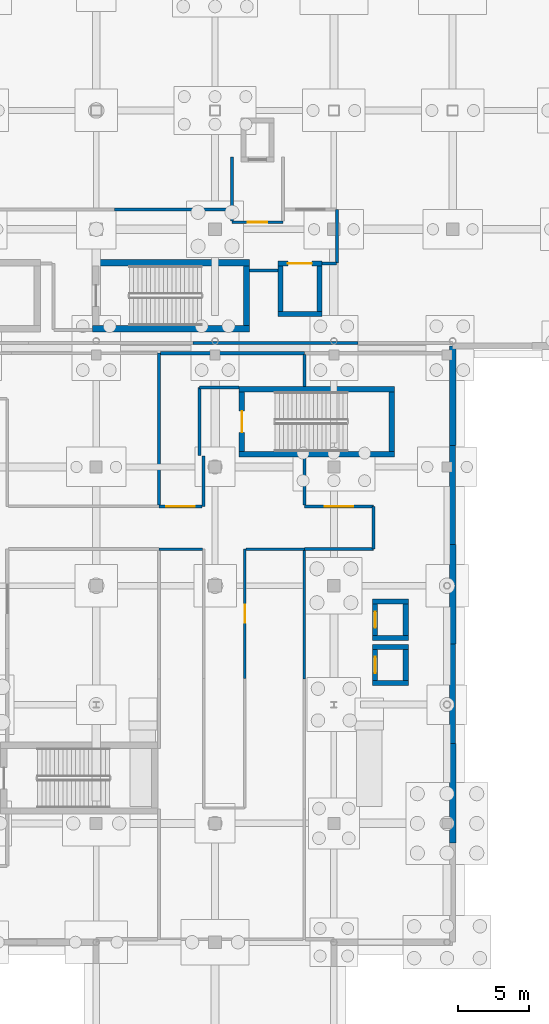
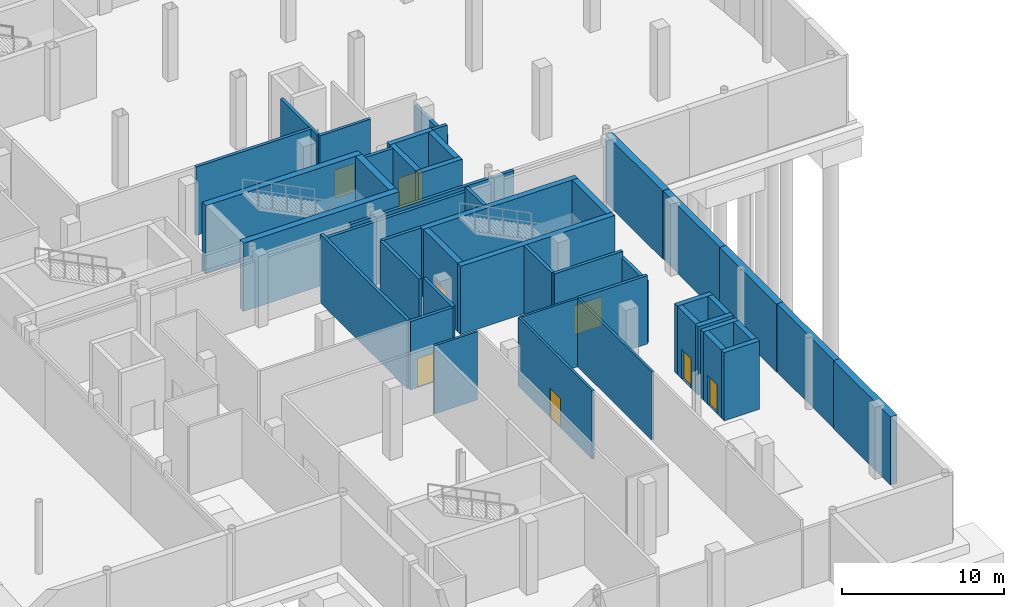
# One storey, part 34 of 49: 46 walls, 8 doors, 8 openings.
"""IFC4 building model written with IfcOpenShell, lengths in metres."""

from ifc_helpers import new_model, si_unit, direction, frame, frame_2d, origin, place, context, subcontext, project, spatial, rectangle, extrude, material, layer, layer_set, type_object, element, fill, save


model = new_model("IFC4")

# Units and contexts
model_context = context("Model", 3, precision=1e-05, world=origin(), true_north=direction((0.0, 1.0)))
body_context = subcontext(model_context, "Body", "Model", "MODEL_VIEW")
ifc_project = project(units=[si_unit("LENGTHUNIT", "METRE"), si_unit("AREAUNIT", "SQUARE_METRE"), si_unit("VOLUMEUNIT", "CUBIC_METRE"), si_unit("PLANEANGLEUNIT", "RADIAN"), si_unit("MASSUNIT", "GRAM", prefix="KILO"), si_unit("THERMODYNAMICTEMPERATUREUNIT", "KELVIN")], contexts=[model_context])

# Site, building, storey
site_placement = place(None, origin())
site = spatial("IfcSite", under=ifc_project, at=site_placement, CompositionType="ELEMENT")
building_placement = place(site_placement, origin())
building = spatial("IfcBuilding", under=site, at=building_placement, Name="Lustrewick Department Store", CompositionType="ELEMENT")
storey_placement = place(building_placement, frame((0.0, 0.0, -5.39990234375)))
storey = spatial("IfcBuildingStorey", under=building, at=storey_placement, Name="B1", CompositionType="ELEMENT", Elevation=-5.39990234375)

# Wall
ifc_material_1 = material(Name="Autoclaved aerated concrete blockwork and fire board", Category="masonry")
ifc_layer_1 = layer(ifc_material_1, 0.219970703125, Name="Autoclaved aerated concrete blockwork and fire board")
ifc_layer_set_1 = layer_set([ifc_layer_1], Name="Autoclaved aerated concrete blockwork and fire board")
wall_type_1 = type_object("IfcWallType", Name="PW01", PredefinedType="PARTITIONING", material=ifc_layer_set_1)
wall_1_placement = place(storey_placement, frame((133.590087890625, 39.2099609375, 0.0), z_axis=(0.0, 0.0, 1.0), x_axis=(0.0, 1.0, 0.0)))
element("IfcWall", 1, at=wall_1_placement, inside=storey, type_object=wall_type_1, Name="B1 V3 Reserve Stockroom 3 PW01", PredefinedType="PARTITIONING", context=body_context, shape_type="SweptSolid", body=[
    extrude(rectangle(XDim=3.580078125, YDim=0.219970703125, at=frame_2d((1.7900390625, 0.0))), origin(), (0.0, 0.0, 1.0), 5.14501953125),
])

# Wall, opening, door
wall_2_placement = place(storey_placement, frame((130.440185546875, 39.2099609375, 0.0), z_axis=(0.0, 0.0, 1.0), x_axis=(1.0, 0.0, 0.0)))
wall_2 = element("IfcWall", 2, at=wall_2_placement, inside=storey, type_object=wall_type_1, Name="B1 V3 Reserve Stockroom 3 PW01", PredefinedType="PARTITIONING", context=body_context, shape_type="SweptSolid", body=[
    extrude(rectangle(XDim=3.044921875, YDim=0.219970703125, at=frame_2d((1.5224609375, 0.0))), origin(), (0.0, 0.0, 1.0), 5.14501953125),
])
opening_1_placement = place(wall_2_placement, frame((0.5224609375, 0.0, 0.0)))
opening_1 = element("IfcOpeningElement", 3, at=opening_1_placement, cuts=wall_2, Name="Opening D-B1-061", PredefinedType="OPENING", context=body_context, shape_type="SweptSolid", body=[
    extrude(rectangle(XDim=2.0, YDim=2.199951171875, at=frame_2d((1.0, 1.10009765625))), frame((0.0, 0.1201171875, 0.0), z_axis=(0.0, -1.0, 0.0), x_axis=(1.0, 0.0, 0.0)), (0.0, 0.0, 1.0), 0.239990234375),
])
ifc_material_2 = material(Name="Steel fire door Class A EI 90", Category="steel")
door_type_1 = type_object("IfcDoorType", Name="DT-06", OperationType="NOTDEFINED", PredefinedType="DOOR", material=ifc_material_2)
door_1_placement = place(opening_1_placement, origin())
door_1 = element("IfcDoor", 4, at=door_1_placement, inside=storey, type_object=door_type_1, Name="B1 V3 Reserve Stockroom 3 Door D-B1-061", OperationType="DOUBLE_DOOR_SINGLE_SWING", OverallHeight=2.199951171875, OverallWidth=2.0, PredefinedType="DOOR", context=body_context, shape_type="SweptSolid", body=[
    extrude(rectangle(XDim=2.0, YDim=2.199951171875, at=frame_2d((1.0, 1.10009765625))), frame((0.0, 0.02490234375, 0.0), z_axis=(0.0, -1.0, 0.0), x_axis=(1.0, 0.0, 0.0)), (0.0, 0.0, 1.0), 0.050048828125),
])
fill(opening_1, door_1)

# Walls
wall_3_placement = place(storey_placement, frame((130.440185546875, 50.0400390625, 0.0), z_axis=(0.0, 0.0, 1.0), x_axis=(0.0, -1.0, 0.0)))
element("IfcWall", 5, at=wall_3_placement, inside=storey, type_object=wall_type_1, Name="B1 V3 Reserve Stockroom 3 PW01", PredefinedType="PARTITIONING", context=body_context, shape_type="SweptSolid", body=[
    extrude(rectangle(XDim=10.72509765625, YDim=0.219970703125, at=frame_2d((5.362548828125, 0.0))), origin(), (0.0, 0.0, 1.0), 5.14501953125),
])
wall_4_placement = place(storey_placement, frame((133.300048828125, 47.610107421875, 0.0), z_axis=(0.0, 0.0, 1.0), x_axis=(1.0, 0.0, 0.0)))
element("IfcWall", 6, at=wall_4_placement, inside=storey, type_object=wall_type_1, Name="B1 V3 Reserve Stockroom 3 PW01", PredefinedType="PARTITIONING", context=body_context, shape_type="SweptSolid", body=[
    extrude(rectangle(XDim=2.800048828125, YDim=0.219970703125, at=frame_2d((1.39990234375, 0.0))), origin(), (0.0, 0.0, 1.0), 5.14501953125),
])
wall_5_placement = place(storey_placement, frame((133.2900390625, 42.800048828125, 0.0), z_axis=(0.0, 0.0, 1.0), x_axis=(0.0, 1.0, 0.0)))
element("IfcWall", 7, at=wall_5_placement, inside=storey, type_object=wall_type_1, Name="B1 V3 Reserve Stockroom 3 PW01", PredefinedType="PARTITIONING", context=body_context, shape_type="SweptSolid", body=[
    extrude(rectangle(XDim=4.800048828125, YDim=0.219970703125, at=frame_2d((2.39990234375, 0.0))), origin(), (0.0, 0.0, 1.0), 5.14501953125),
])
wall_6_placement = place(storey_placement, frame((140.71142578125, 50.0400390625, 0.0), z_axis=(0.0, 0.0, 1.0), x_axis=(-1.0, 0.0, 0.0)))
element("IfcWall", 8, at=wall_6_placement, inside=storey, type_object=wall_type_1, Name="B1 V3 Reserve Stockroom 3 PW01", PredefinedType="PARTITIONING", context=body_context, shape_type="SweptSolid", body=[
    extrude(rectangle(XDim=10.166259765625, YDim=0.219970703125, at=frame_2d((5.0830078125, 0.0))), origin(), (0.0, 0.0, 1.0), 4.77197265625),
])
wall_7_placement = place(storey_placement, frame((140.71142578125, 47.695068359375, 0.0), z_axis=(0.0, 0.0, 1.0), x_axis=(0.0, 1.0, 0.0)))
element("IfcWall", 9, at=wall_7_placement, inside=storey, type_object=wall_type_1, Name="B1 V3 Reserve Stockroom 3 PW01", PredefinedType="PARTITIONING", context=body_context, shape_type="SweptSolid", body=[
    extrude(rectangle(XDim=2.239990234375, YDim=0.219970703125, at=frame_2d((1.1201171875, 0.0))), origin(), (0.0, 0.0, 1.0), 5.14501953125),
])

# Wall, opening, door
wall_8_placement = place(storey_placement, frame((140.71142578125, 39.2099609375, 0.0), z_axis=(0.0, 0.0, 1.0), x_axis=(1.0, 0.0, 0.0)))
wall_8 = element("IfcWall", 10, at=wall_8_placement, inside=storey, type_object=wall_type_1, Name="B1 Merchandise Receiving Room PW01", PredefinedType="PARTITIONING", context=body_context, shape_type="SweptSolid", body=[
    extrude(rectangle(XDim=4.888671875, YDim=0.219970703125, at=frame_2d((2.4443359375, 0.0))), origin(), (0.0, 0.0, 1.0), 5.14501953125),
])
opening_2_placement = place(wall_8_placement, frame((1.4443359375, 0.0, 0.0)))
opening_2 = element("IfcOpeningElement", 11, at=opening_2_placement, cuts=wall_8, Name="Opening D-B1-064", PredefinedType="OPENING", context=body_context, shape_type="SweptSolid", body=[
    extrude(rectangle(XDim=2.0, YDim=2.199951171875, at=frame_2d((1.0, 1.10009765625))), frame((0.0, 0.1201171875, 0.0), z_axis=(0.0, -1.0, 0.0), x_axis=(1.0, 0.0, 0.0)), (0.0, 0.0, 1.0), 0.239990234375),
])
door_2_placement = place(opening_2_placement, origin())
door_2 = element("IfcDoor", 12, at=door_2_placement, inside=storey, type_object=door_type_1, Name="B1 Merchandise Receiving Room Door D-B1-064", OperationType="DOUBLE_DOOR_SINGLE_SWING", OverallHeight=2.199951171875, OverallWidth=2.0, PredefinedType="DOOR", context=body_context, shape_type="SweptSolid", body=[
    extrude(rectangle(XDim=2.0, YDim=2.199951171875, at=frame_2d((1.0, 1.10009765625))), frame((0.0, 0.02490234375, 0.0), z_axis=(0.0, -1.0, 0.0), x_axis=(1.0, 0.0, 0.0)), (0.0, 0.0, 1.0), 0.050048828125),
])
fill(opening_2, door_2)

# Walls
wall_9_placement = place(storey_placement, frame((140.71142578125, 42.705078125, 0.0), z_axis=(0.0, 0.0, 1.0), x_axis=(0.0, -1.0, 0.0)))
element("IfcWall", 13, at=wall_9_placement, inside=storey, type_object=wall_type_1, Name="B1 Merchandise Receiving Room PW01", PredefinedType="PARTITIONING", context=body_context, shape_type="SweptSolid", body=[
    extrude(rectangle(XDim=3.39013671875, YDim=0.219970703125, at=frame_2d((1.695068359375, 0.0))), origin(), (0.0, 0.0, 1.0), 5.14501953125),
])
wall_10_placement = place(storey_placement, frame((145.60009765625, 36.18994140625, 0.0), z_axis=(0.0, 0.0, 1.0), x_axis=(-1.0, 0.0, 0.0)))
element("IfcWall", 14, at=wall_10_placement, inside=storey, type_object=wall_type_1, Name="B1 Merchandise Receiving Room PW01", PredefinedType="PARTITIONING", context=body_context, shape_type="SweptSolid", body=[
    extrude(rectangle(XDim=4.888671875, YDim=0.219970703125, at=frame_2d((2.4443359375, 0.0))), origin(), (0.0, 0.0, 1.0), 5.14501953125),
])
wall_11_placement = place(storey_placement, frame((145.610107421875, 39.199951171875, 0.0), z_axis=(0.0, 0.0, 1.0), x_axis=(0.0, -1.0, 0.0)))
element("IfcWall", 15, at=wall_11_placement, inside=storey, type_object=wall_type_1, Name="B1 Merchandise Receiving Room PW01", PredefinedType="PARTITIONING", context=body_context, shape_type="SweptSolid", body=[
    extrude(rectangle(XDim=3.0, YDim=0.219970703125, at=frame_2d((1.5, 0.0))), origin(), (0.0, 0.0, 1.0), 4.67578125),
])
wall_12_placement = place(storey_placement, frame((143.010009765625, 60.199951171875, 0.0), z_axis=(0.0, 0.0, 1.0), x_axis=(0.0, -1.0, 0.0)))
element("IfcWall", 16, at=wall_12_placement, inside=storey, type_object=wall_type_1, Name="B1 Central Merchandise Stockroom PW01", PredefinedType="PARTITIONING", context=body_context, shape_type="SweptSolid", body=[
    extrude(rectangle(XDim=3.800048828125, YDim=0.219970703125, at=frame_2d((1.89990234375, 0.0))), origin(), (0.0, 0.0, 1.0), 4.31396484375),
])
wall_13_placement = place(storey_placement, frame((143.0, 56.389892578125, 0.0), z_axis=(0.0, 0.0, 1.0), x_axis=(-1.0, 0.0, 0.0)))
element("IfcWall", 17, at=wall_13_placement, inside=storey, type_object=wall_type_1, Name="B1 Central Merchandise Stockroom PW01", PredefinedType="PARTITIONING", context=body_context, shape_type="SweptSolid", body=[
    extrude(rectangle(XDim=1.0400390625, YDim=0.219970703125, at=frame_2d((0.52001953125, 0.0))), origin(), (0.0, 0.0, 1.0), 5.14501953125),
])
wall_14_placement = place(storey_placement, frame((127.300048828125, 60.2099609375, 0.0), z_axis=(0.0, 0.0, 1.0), x_axis=(1.0, 0.0, 0.0)))
element("IfcWall", 18, at=wall_14_placement, inside=storey, type_object=wall_type_1, Name="B1 Central Merchandise Stockroom PW01", PredefinedType="PARTITIONING", context=body_context, shape_type="SweptSolid", body=[
    extrude(rectangle(XDim=8.202392578125, YDim=0.219970703125, at=frame_2d((4.10107421875, 0.0))), origin(), (0.0, 0.0, 1.0), 5.14501953125),
])
wall_15_placement = place(storey_placement, frame((138.840087890625, 55.889892578125, 0.0), z_axis=(0.0, 0.0, 1.0), x_axis=(-1.0, 0.0, 0.0)))
element("IfcWall", 19, at=wall_15_placement, inside=storey, type_object=wall_type_1, Name="B1 Central Merchandise Stockroom PW01", PredefinedType="PARTITIONING", context=body_context, shape_type="SweptSolid", body=[
    extrude(rectangle(XDim=1.989990234375, YDim=0.219970703125, at=frame_2d((0.9951171875, 0.0))), origin(), (0.0, 0.0, 1.0), 5.14501953125),
])
wall_16_placement = place(storey_placement, frame((132.85205078125, 50.760009765625, 0.0), z_axis=(0.0, 0.0, 1.0), x_axis=(1.0, 0.0, 0.0)))
element("IfcWall", 20, at=wall_16_placement, inside=storey, type_object=wall_type_1, Name="B1 Central Merchandise Stockroom PW01", PredefinedType="PARTITIONING", context=body_context, shape_type="SweptSolid", body=[
    extrude(rectangle(XDim=11.64599609375, YDim=0.219970703125, at=frame_2d((5.822998046875, 0.0))), origin(), (0.0, 0.0, 1.0), 4.615966796875),
])

# Wall, opening, door
ifc_layer_2 = layer(ifc_material_1, 0.205078125, Name="Autoclaved aerated concrete blockwork and fire board")
ifc_layer_set_2 = layer_set([ifc_layer_2], Name="Autoclaved aerated concrete blockwork and fire board")
wall_type_2 = type_object("IfcWallType", Name="PW02", PredefinedType="PARTITIONING", material=ifc_layer_set_2)
wall_17_placement = place(storey_placement, frame((135.60009765625, 59.300048828125, 0.0), z_axis=(0.0, 0.0, 1.0), x_axis=(1.0, 0.0, 0.0)))
wall_17 = element("IfcWall", 21, at=wall_17_placement, inside=storey, type_object=wall_type_2, Name="B1 Firefighting Lift Lobby FFL-03 PW02", PredefinedType="PARTITIONING", context=body_context, shape_type="SweptSolid", body=[
    extrude(rectangle(XDim=3.599853515625, YDim=0.205078125, at=frame_2d((1.7998046875, 0.0))), origin(), (0.0, 0.0, 1.0), 5.14501953125),
])
opening_3_placement = place(wall_17_placement, frame((1.10009765625, 0.0, 0.0)))
opening_3 = element("IfcOpeningElement", 22, at=opening_3_placement, cuts=wall_17, Name="Opening D-B1-065", PredefinedType="OPENING", context=body_context, shape_type="SweptSolid", body=[
    extrude(rectangle(XDim=1.39990234375, YDim=2.14990234375, at=frame_2d((0.699951171875, 1.074951171875))), frame((0.0, 0.112548828125, 0.0), z_axis=(0.0, -1.0, 0.0), x_axis=(1.0, 0.0, 0.0)), (0.0, 0.0, 1.0), 0.22509765625),
])
ifc_material_3 = material(Name="Steel fire door Class B EI 60", Category="steel")
door_type_2 = type_object("IfcDoorType", Name="DT-08", OperationType="NOTDEFINED", PredefinedType="DOOR", material=ifc_material_3)
door_3_placement = place(opening_3_placement, origin())
door_3 = element("IfcDoor", 23, at=door_3_placement, inside=storey, type_object=door_type_2, Name="B1 Firefighting Lift Lobby FFL-03 Door D-B1-065", OperationType="SINGLE_SWING_LEFT", OverallHeight=2.14990234375, OverallWidth=1.39990234375, PredefinedType="DOOR", context=body_context, shape_type="SweptSolid", body=[
    extrude(rectangle(XDim=1.39990234375, YDim=2.14990234375, at=frame_2d((0.699951171875, 1.074951171875))), frame((0.0, 0.02490234375, 0.0), z_axis=(0.0, -1.0, 0.0), x_axis=(1.0, 0.0, 0.0)), (0.0, 0.0, 1.0), 0.050048828125),
])
fill(opening_3, door_3)

# Wall
wall_18_placement = place(storey_placement, frame((135.60009765625, 63.89990234375, 0.0), z_axis=(0.0, 0.0, 1.0), x_axis=(0.0, -1.0, 0.0)))
element("IfcWall", 24, at=wall_18_placement, inside=storey, type_object=wall_type_2, Name="B1 Firefighting Lift Lobby FFL-03 PW02", PredefinedType="PARTITIONING", context=body_context, shape_type="SweptSolid", body=[
    extrude(rectangle(XDim=4.50244140625, YDim=0.205078125, at=frame_2d((2.251220703125, 0.0))), origin(), (0.0, 0.0, 1.0), 5.14501953125),
])

# Wall, opening, door
ifc_material_4 = material(Name="Double-stud gypsum fire board with mineral wool", Category="gypsum")
ifc_layer_3 = layer(ifc_material_4, 0.1650390625, Name="Double-stud gypsum fire board with mineral wool")
ifc_layer_set_3 = layer_set([ifc_layer_3], Name="Double-stud gypsum fire board with mineral wool")
wall_type_3 = type_object("IfcWallType", Name="PW04", PredefinedType="PARTITIONING", material=ifc_layer_set_3)
wall_19_placement = place(storey_placement, frame((136.510009765625, 36.18994140625, 0.0), z_axis=(0.0, 0.0, 1.0), x_axis=(0.0, -1.0, 0.0)))
wall_19 = element("IfcWall", 25, at=wall_19_placement, inside=storey, type_object=wall_type_3, Name="B1 Fire Pump Room PW04", PredefinedType="PARTITIONING", context=body_context, shape_type="SweptSolid", body=[
    extrude(rectangle(XDim=9.14501953125, YDim=0.1650390625, at=frame_2d((4.572509765625, 0.0))), origin(), (0.0, 0.0, 1.0), 5.14501953125),
])
opening_4_placement = place(wall_19_placement, frame((3.922607421875, 0.0, 0.0)))
opening_4 = element("IfcOpeningElement", 26, at=opening_4_placement, cuts=wall_19, Name="Opening D-B1-063", PredefinedType="OPENING", context=body_context, shape_type="SweptSolid", body=[
    extrude(rectangle(XDim=1.300048828125, YDim=2.199951171875, at=frame_2d((0.64990234375, 1.10009765625))), frame((0.0, 0.092529296875, 0.0), z_axis=(0.0, -1.0, 0.0), x_axis=(1.0, 0.0, 0.0)), (0.0, 0.0, 1.0), 0.18505859375),
])
door_type_3 = type_object("IfcDoorType", Name="DT-13", OperationType="NOTDEFINED", PredefinedType="DOOR", material=ifc_material_2)
door_4_placement = place(opening_4_placement, origin())
door_4 = element("IfcDoor", 27, at=door_4_placement, inside=storey, type_object=door_type_3, Name="B1 Fire Pump Room Door D-B1-063", OperationType="SINGLE_SWING_RIGHT", OverallHeight=2.199951171875, OverallWidth=1.300048828125, PredefinedType="DOOR", context=body_context, shape_type="SweptSolid", body=[
    extrude(rectangle(XDim=1.300048828125, YDim=2.199951171875, at=frame_2d((0.64990234375, 1.10009765625))), frame((0.0, 0.02490234375, 0.0), z_axis=(0.0, -1.0, 0.0), x_axis=(1.0, 0.0, 0.0)), (0.0, 0.0, 1.0), 0.050048828125),
])
fill(opening_4, door_4)

# Walls
wall_20_placement = place(storey_placement, frame((140.71142578125, 36.18994140625, 0.0), z_axis=(0.0, 0.0, 1.0), x_axis=(-1.0, 0.0, 0.0)))
element("IfcWall", 28, at=wall_20_placement, inside=storey, type_object=wall_type_3, Name="B1 Fire Pump Room PW04", PredefinedType="PARTITIONING", context=body_context, shape_type="SweptSolid", body=[
    extrude(rectangle(XDim=4.1240234375, YDim=0.1650390625, at=frame_2d((2.06201171875, 0.0))), origin(), (0.0, 0.0, 1.0), 5.14501953125),
])
wall_21_placement = place(storey_placement, frame((133.512451171875, 36.18994140625, 0.0), z_axis=(0.0, 0.0, 1.0), x_axis=(-1.0, 0.0, 0.0)))
element("IfcWall", 29, at=wall_21_placement, inside=storey, type_object=wall_type_3, Name="B1 Fire Pump Room PW04", PredefinedType="PARTITIONING", context=body_context, shape_type="SweptSolid", body=[
    extrude(rectangle(XDim=3.072265625, YDim=0.1650390625, at=frame_2d((1.5361328125, 0.0))), origin(), (0.0, 0.0, 1.0), 5.14501953125),
])
wall_22_placement = place(storey_placement, frame((140.71142578125, 26.99658203125, 0.0), z_axis=(0.0, 0.0, 1.0), x_axis=(0.0, 1.0, 0.0)))
element("IfcWall", 30, at=wall_22_placement, inside=storey, type_object=wall_type_3, Name="B1 Fire Pump Room PW04", PredefinedType="PARTITIONING", context=body_context, shape_type="SweptSolid", body=[
    extrude(rectangle(XDim=9.115966796875, YDim=0.1650390625, at=frame_2d((4.55810546875, 0.0))), origin(), (0.0, 0.0, 1.0), 5.14501953125),
])
ifc_material_5 = material(Name="Concrete C40", Category="concrete")
ifc_layer_4 = layer(ifc_material_5, 0.419921875, Name="Concrete C40")
ifc_layer_set_4 = layer_set([ifc_layer_4], Name="Concrete C40")
wall_type_4 = type_object("IfcWallType", Name="RW01", PredefinedType="USERDEFINED", material=ifc_layer_set_4)
wall_23_placement = place(storey_placement, frame((151.199951171875, 43.52490234375, 0.0), z_axis=(0.0, 0.0, 1.0), x_axis=(0.0, -1.0, 0.0)))
element("IfcWall", 31, at=wall_23_placement, inside=storey, type_object=wall_type_4, Name="B1 Retaining Wall RW01 0113", ObjectType="RETAININGWALL", PredefinedType="USERDEFINED", context=body_context, shape_type="SweptSolid", body=[
    extrude(rectangle(XDim=7.02490234375, YDim=0.419921875, at=frame_2d((3.512451171875, 0.0))), origin(), (0.0, 0.0, 1.0), 5.1298828125),
])
wall_24_placement = place(storey_placement, frame((151.199951171875, 29.47509765625, 0.0), z_axis=(0.0, 0.0, 1.0), x_axis=(0.0, -1.0, 0.0)))
element("IfcWall", 32, at=wall_24_placement, inside=storey, type_object=wall_type_4, Name="B1 Retaining Wall RW01 0115", ObjectType="RETAININGWALL", PredefinedType="USERDEFINED", context=body_context, shape_type="SweptSolid", body=[
    extrude(rectangle(XDim=7.025146484375, YDim=0.419921875, at=frame_2d((3.5126953125, 0.0))), origin(), (0.0, 0.0, 1.0), 5.1298828125),
])
ifc_layer_5 = layer(ifc_material_5, 0.47998046875, Name="Concrete C40")
ifc_layer_set_5 = layer_set([ifc_layer_5], Name="Concrete C40")
wall_type_5 = type_object("IfcWallType", Name="RW02", PredefinedType="USERDEFINED", material=ifc_layer_set_5)
wall_25_placement = place(storey_placement, frame((151.199951171875, 50.550048828125, 0.0), z_axis=(0.0, 0.0, 1.0), x_axis=(0.0, -1.0, 0.0)))
element("IfcWall", 33, at=wall_25_placement, inside=storey, type_object=wall_type_5, Name="B1 Retaining Wall RW02 0112", ObjectType="RETAININGWALL", PredefinedType="USERDEFINED", context=body_context, shape_type="SweptSolid", body=[
    extrude(rectangle(XDim=7.025146484375, YDim=0.47998046875, at=frame_2d((3.5126953125, 0.0))), origin(), (0.0, 0.0, 1.0), 5.1298828125),
])
for number, where, z_axis, x_axis, name in (
    (34, (151.199951171875, 36.5, 0.0), (0.0, 0.0, 1.0), (0.0, -1.0, 0.0), "B1 Retaining Wall RW02 0114"),
    (35, (151.199951171875, 22.449951171875, 0.0), (0.0, 0.0, 1.0), (0.0, -1.0, 0.0), "B1 Retaining Wall RW02 0116"),
):
    element("IfcWall", number, at=place(storey_placement, frame(where, z_axis=z_axis, x_axis=x_axis)), inside=storey, type_object=wall_type_5, Name=name, ObjectType="RETAININGWALL", PredefinedType="USERDEFINED", context=body_context, shape_type="SweptSolid", body=[
        extrude(rectangle(XDim=7.02490234375, YDim=0.47998046875, at=frame_2d((3.512451171875, 0.0))), origin(), (0.0, 0.0, 1.0), 5.1298828125),
    ])
ifc_material_6 = material(Name="Concrete C50", Category="concrete")
ifc_layer_6 = layer(ifc_material_6, 0.449951171875, Name="Concrete C50")
ifc_layer_set_6 = layer_set([ifc_layer_6], Name="Concrete C50")
wall_type_6 = type_object("IfcWallType", Name="SW01", PredefinedType="SHEAR", material=ifc_layer_set_6)
wall_26_placement = place(storey_placement, frame((125.75, 51.77490234375, 0.0), z_axis=(0.0, 0.0, 1.0), x_axis=(1.0, 0.0, 0.0)))
element("IfcWall", 36, at=wall_26_placement, inside=storey, type_object=wall_type_6, Name="B1 Stair Core ST11 Shear Wall S", PredefinedType="SHEAR", context=body_context, shape_type="SweptSolid", body=[
    extrude(rectangle(XDim=11.10009765625, YDim=0.449951171875, at=frame_2d((5.550048828125, 0.0))), origin(), (0.0, 0.0, 1.0), 5.14501953125),
])
wall_27_placement = place(storey_placement, frame((136.625, 52.0, 0.0), z_axis=(0.0, 0.0, 1.0), x_axis=(0.0, 1.0, 0.0)))
element("IfcWall", 37, at=wall_27_placement, inside=storey, type_object=wall_type_6, Name="B1 Stair Core ST11 Shear Wall E", PredefinedType="SHEAR", context=body_context, shape_type="SweptSolid", body=[
    extrude(rectangle(XDim=4.199951171875, YDim=0.449951171875, at=frame_2d((2.10009765625, 0.0))), origin(), (0.0, 0.0, 1.0), 5.14501953125),
])
wall_28_placement = place(storey_placement, frame((136.85009765625, 56.425048828125, 0.0), z_axis=(0.0, 0.0, 1.0), x_axis=(-1.0, 0.0, 0.0)))
element("IfcWall", 38, at=wall_28_placement, inside=storey, type_object=wall_type_6, Name="B1 Stair Core ST11 Shear Wall N", PredefinedType="SHEAR", context=body_context, shape_type="SweptSolid", body=[
    extrude(rectangle(XDim=11.10009765625, YDim=0.449951171875, at=frame_2d((5.550048828125, 0.0))), origin(), (0.0, 0.0, 1.0), 5.14501953125),
])
ifc_layer_7 = layer(ifc_material_6, 0.39990234375, Name="Concrete C50")
ifc_layer_set_7 = layer_set([ifc_layer_7], Name="Concrete C50")
wall_type_7 = type_object("IfcWallType", Name="SW02", PredefinedType="SHEAR", material=ifc_layer_set_7)
wall_29_placement = place(storey_placement, frame((136.10009765625, 42.89990234375, 0.0), z_axis=(0.0, 0.0, 1.0), x_axis=(1.0, 0.0, 0.0)))
element("IfcWall", 39, at=wall_29_placement, inside=storey, type_object=wall_type_7, Name="B1 Stair Core ST08 Shear Wall S", PredefinedType="SHEAR", context=body_context, shape_type="SweptSolid", body=[
    extrude(rectangle(XDim=11.0, YDim=0.39990234375, at=frame_2d((5.5, 0.0))), origin(), (0.0, 0.0, 1.0), 5.14501953125),
])
wall_30_placement = place(storey_placement, frame((146.89990234375, 43.10009765625, 0.0), z_axis=(0.0, 0.0, 1.0), x_axis=(0.0, 1.0, 0.0)))
element("IfcWall", 40, at=wall_30_placement, inside=storey, type_object=wall_type_7, Name="B1 Stair Core ST08 Shear Wall E", PredefinedType="SHEAR", context=body_context, shape_type="SweptSolid", body=[
    extrude(rectangle(XDim=4.199951171875, YDim=0.39990234375, at=frame_2d((2.10009765625, 0.0))), origin(), (0.0, 0.0, 1.0), 5.14501953125),
])
wall_31_placement = place(storey_placement, frame((147.10009765625, 47.5, 0.0), z_axis=(0.0, 0.0, 1.0), x_axis=(-1.0, 0.0, 0.0)))
element("IfcWall", 41, at=wall_31_placement, inside=storey, type_object=wall_type_7, Name="B1 Stair Core ST08 Shear Wall N", PredefinedType="SHEAR", context=body_context, shape_type="SweptSolid", body=[
    extrude(rectangle(XDim=11.0, YDim=0.39990234375, at=frame_2d((5.5, 0.0))), origin(), (0.0, 0.0, 1.0), 5.14501953125),
])

# Wall, opening, door
wall_32_placement = place(storey_placement, frame((136.300048828125, 47.300048828125, 0.0), z_axis=(0.0, 0.0, 1.0), x_axis=(0.0, -1.0, 0.0)))
wall_32 = element("IfcWall", 42, at=wall_32_placement, inside=storey, type_object=wall_type_7, Name="B1 Stair Core ST08 Shear Wall W", PredefinedType="SHEAR", context=body_context, shape_type="SweptSolid", body=[
    extrude(rectangle(XDim=4.199951171875, YDim=0.39990234375, at=frame_2d((2.10009765625, 0.0))), origin(), (0.0, 0.0, 1.0), 5.14501953125),
])
opening_5_placement = place(wall_32_placement, frame((1.35009765625, 0.0, 0.0)))
opening_5 = element("IfcOpeningElement", 43, at=opening_5_placement, cuts=wall_32, Name="Opening D-B1-008", PredefinedType="OPENING", context=body_context, shape_type="SweptSolid", body=[
    extrude(rectangle(XDim=1.5, YDim=2.14990234375, at=frame_2d((0.75, 1.074951171875))), frame((0.0, 0.2099609375, 0.0), z_axis=(0.0, -1.0, 0.0), x_axis=(1.0, 0.0, 0.0)), (0.0, 0.0, 1.0), 0.419921875),
])
door_type_4 = type_object("IfcDoorType", Name="DT-07", OperationType="NOTDEFINED", PredefinedType="DOOR", material=ifc_material_3)
door_5_placement = place(opening_5_placement, origin())
door_5 = element("IfcDoor", 44, at=door_5_placement, inside=storey, type_object=door_type_4, Name="B1 Smoke-Proof Stair ST08 Fire Door", OperationType="SINGLE_SWING_RIGHT", OverallHeight=2.14990234375, OverallWidth=1.5, PredefinedType="DOOR", context=body_context, shape_type="SweptSolid", body=[
    extrude(rectangle(XDim=1.5, YDim=2.14990234375, at=frame_2d((0.75, 1.074951171875))), frame((0.0, 0.02490234375, 0.0), z_axis=(0.0, -1.0, 0.0), x_axis=(1.0, 0.0, 0.0)), (0.0, 0.0, 1.0), 0.050048828125),
])
fill(opening_5, door_5)

# Walls
ifc_layer_8 = layer(ifc_material_5, 0.360107421875, Name="Concrete C40")
ifc_layer_set_8 = layer_set([ifc_layer_8], Name="Concrete C40")
wall_type_8 = type_object("IfcWallType", Name="SW04", PredefinedType="SHEAR", material=ifc_layer_set_8)
wall_33_placement = place(storey_placement, frame((145.5400390625, 26.719970703125, 0.0), z_axis=(0.0, 0.0, 1.0), x_axis=(1.0, 0.0, 0.0)))
element("IfcWall", 45, at=wall_33_placement, inside=storey, type_object=wall_type_8, Name="B1 Lift PL-05 Shaft Wall -Y", PredefinedType="SHEAR", context=body_context, shape_type="SweptSolid", body=[
    extrude(rectangle(XDim=2.52001953125, YDim=0.360107421875, at=frame_2d((1.260009765625, 0.0))), origin(), (0.0, 0.0, 1.0), 5.14501953125),
])
wall_34_placement = place(storey_placement, frame((147.8798828125, 26.89990234375, 0.0), z_axis=(0.0, 0.0, 1.0), x_axis=(0.0, 1.0, 0.0)))
element("IfcWall", 46, at=wall_34_placement, inside=storey, type_object=wall_type_8, Name="B1 Lift PL-05 Shaft Wall +X", PredefinedType="SHEAR", context=body_context, shape_type="SweptSolid", body=[
    extrude(rectangle(XDim=2.2001953125, YDim=0.360107421875, at=frame_2d((1.10009765625, 0.0))), origin(), (0.0, 0.0, 1.0), 5.14501953125),
])
wall_35_placement = place(storey_placement, frame((148.06005859375, 29.280029296875, 0.0), z_axis=(0.0, 0.0, 1.0), x_axis=(-1.0, 0.0, 0.0)))
element("IfcWall", 47, at=wall_35_placement, inside=storey, type_object=wall_type_8, Name="B1 Lift PL-05 Shaft Wall +Y", PredefinedType="SHEAR", context=body_context, shape_type="SweptSolid", body=[
    extrude(rectangle(XDim=2.52001953125, YDim=0.360107421875, at=frame_2d((1.260009765625, 0.0))), origin(), (0.0, 0.0, 1.0), 5.14501953125),
])

# Wall, opening, door
wall_36_placement = place(storey_placement, frame((145.719970703125, 29.10009765625, 0.0), z_axis=(0.0, 0.0, 1.0), x_axis=(0.0, -1.0, 0.0)))
wall_36 = element("IfcWall", 48, at=wall_36_placement, inside=storey, type_object=wall_type_8, Name="B1 Lift PL-05 Shaft Wall -X", PredefinedType="SHEAR", context=body_context, shape_type="SweptSolid", body=[
    extrude(rectangle(XDim=2.2001953125, YDim=0.360107421875, at=frame_2d((1.10009765625, 0.0))), origin(), (0.0, 0.0, 1.0), 5.14501953125),
])
opening_6_placement = place(wall_36_placement, frame((0.52490234375, 0.0, 0.0)))
opening_6 = element("IfcOpeningElement", 49, at=opening_6_placement, cuts=wall_36, Name="Opening LD-B1-09", PredefinedType="OPENING", context=body_context, shape_type="SweptSolid", body=[
    extrude(rectangle(XDim=1.14990234375, YDim=2.199951171875, at=frame_2d((0.574951171875, 1.10009765625))), frame((0.0, 0.18994140625, 0.0), z_axis=(0.0, -1.0, 0.0), x_axis=(1.0, 0.0, 0.0)), (0.0, 0.0, 1.0), 0.380126953125),
])
ifc_material_7 = material(Name="Brushed bronze passenger lift landing door EI 60", Category="steel")
door_type_5 = type_object("IfcDoorType", Name="DT-16", OperationType="NOTDEFINED", PredefinedType="DOOR", material=ifc_material_7)
door_6_placement = place(opening_6_placement, frame((1.14990234375, 0.0, 0.0), z_axis=(0.0, 0.0, 1.0), x_axis=(-1.0, 0.0, 0.0)))
door_6 = element("IfcDoor", 50, at=door_6_placement, inside=storey, type_object=door_type_5, Name="B1 Lift PL-05 Sliding Landing Door LD-B1-09", OperationType="DOUBLE_DOOR_SLIDING", OverallHeight=2.199951171875, OverallWidth=1.14990234375, PredefinedType="DOOR", context=body_context, shape_type="SweptSolid", body=[
    extrude(rectangle(XDim=1.14990234375, YDim=2.199951171875, at=frame_2d((0.574951171875, 1.10009765625))), frame((0.0, 0.02490234375, 0.0), z_axis=(0.0, -1.0, 0.0), x_axis=(1.0, 0.0, 0.0)), (0.0, 0.0, 1.0), 0.050048828125),
])
fill(opening_6, door_6)

# Walls
wall_37_placement = place(storey_placement, frame((145.5400390625, 29.919921875, 0.0), z_axis=(0.0, 0.0, 1.0), x_axis=(1.0, 0.0, 0.0)))
element("IfcWall", 51, at=wall_37_placement, inside=storey, type_object=wall_type_8, Name="B1 Lift PL-06 Shaft Wall -Y", PredefinedType="SHEAR", context=body_context, shape_type="SweptSolid", body=[
    extrude(rectangle(XDim=2.52001953125, YDim=0.360107421875, at=frame_2d((1.260009765625, 0.0))), origin(), (0.0, 0.0, 1.0), 5.14501953125),
])
wall_38_placement = place(storey_placement, frame((147.8798828125, 30.10009765625, 0.0), z_axis=(0.0, 0.0, 1.0), x_axis=(0.0, 1.0, 0.0)))
element("IfcWall", 52, at=wall_38_placement, inside=storey, type_object=wall_type_8, Name="B1 Lift PL-06 Shaft Wall +X", PredefinedType="SHEAR", context=body_context, shape_type="SweptSolid", body=[
    extrude(rectangle(XDim=2.199951171875, YDim=0.360107421875, at=frame_2d((1.10009765625, 0.0))), origin(), (0.0, 0.0, 1.0), 5.14501953125),
])
wall_39_placement = place(storey_placement, frame((148.06005859375, 32.47998046875, 0.0), z_axis=(0.0, 0.0, 1.0), x_axis=(-1.0, 0.0, 0.0)))
element("IfcWall", 53, at=wall_39_placement, inside=storey, type_object=wall_type_8, Name="B1 Lift PL-06 Shaft Wall +Y", PredefinedType="SHEAR", context=body_context, shape_type="SweptSolid", body=[
    extrude(rectangle(XDim=2.52001953125, YDim=0.360107421875, at=frame_2d((1.260009765625, 0.0))), origin(), (0.0, 0.0, 1.0), 5.14501953125),
])

# Wall, opening, door
wall_40_placement = place(storey_placement, frame((145.719970703125, 32.300048828125, 0.0), z_axis=(0.0, 0.0, 1.0), x_axis=(0.0, -1.0, 0.0)))
wall_40 = element("IfcWall", 54, at=wall_40_placement, inside=storey, type_object=wall_type_8, Name="B1 Lift PL-06 Shaft Wall -X", PredefinedType="SHEAR", context=body_context, shape_type="SweptSolid", body=[
    extrude(rectangle(XDim=2.199951171875, YDim=0.360107421875, at=frame_2d((1.10009765625, 0.0))), origin(), (0.0, 0.0, 1.0), 5.14501953125),
])
opening_7_placement = place(wall_40_placement, frame((0.52490234375, 0.0, 0.0)))
opening_7 = element("IfcOpeningElement", 55, at=opening_7_placement, cuts=wall_40, Name="Opening LD-B1-10", PredefinedType="OPENING", context=body_context, shape_type="SweptSolid", body=[
    extrude(rectangle(XDim=1.14990234375, YDim=2.199951171875, at=frame_2d((0.574951171875, 1.10009765625))), frame((0.0, 0.18994140625, 0.0), z_axis=(0.0, -1.0, 0.0), x_axis=(1.0, 0.0, 0.0)), (0.0, 0.0, 1.0), 0.380126953125),
])
door_7_placement = place(opening_7_placement, frame((1.14990234375, 0.0, 0.0), z_axis=(0.0, 0.0, 1.0), x_axis=(-1.0, 0.0, 0.0)))
door_7 = element("IfcDoor", 56, at=door_7_placement, inside=storey, type_object=door_type_5, Name="B1 Lift PL-06 Sliding Landing Door LD-B1-10", OperationType="DOUBLE_DOOR_SLIDING", OverallHeight=2.199951171875, OverallWidth=1.14990234375, PredefinedType="DOOR", context=body_context, shape_type="SweptSolid", body=[
    extrude(rectangle(XDim=1.14990234375, YDim=2.199951171875, at=frame_2d((0.574951171875, 1.10009765625))), frame((0.0, 0.02490234375, 0.0), z_axis=(0.0, -1.0, 0.0), x_axis=(1.0, 0.0, 0.0)), (0.0, 0.0, 1.0), 0.050048828125),
])
fill(opening_7, door_7)

# Walls
wall_41_placement = place(storey_placement, frame((138.840087890625, 52.820068359375, 0.0), z_axis=(0.0, 0.0, 1.0), x_axis=(1.0, 0.0, 0.0)))
element("IfcWall", 57, at=wall_41_placement, inside=storey, type_object=wall_type_8, Name="B1 Lift GL-04 Shaft Wall -Y", PredefinedType="SHEAR", context=body_context, shape_type="SweptSolid", body=[
    extrude(rectangle(XDim=3.119873046875, YDim=0.360107421875, at=frame_2d((1.56005859375, 0.0))), origin(), (0.0, 0.0, 1.0), 5.14501953125),
])
wall_42_placement = place(storey_placement, frame((141.780029296875, 53.0, 0.0), z_axis=(0.0, 0.0, 1.0), x_axis=(0.0, 1.0, 0.0)))
element("IfcWall", 58, at=wall_42_placement, inside=storey, type_object=wall_type_8, Name="B1 Lift GL-04 Shaft Wall +X", PredefinedType="SHEAR", context=body_context, shape_type="SweptSolid", body=[
    extrude(rectangle(XDim=3.199951171875, YDim=0.360107421875, at=frame_2d((1.60009765625, 0.0))), origin(), (0.0, 0.0, 1.0), 5.14501953125),
])

# Wall, opening, door
wall_43_placement = place(storey_placement, frame((141.9599609375, 56.3798828125, 0.0), z_axis=(0.0, 0.0, 1.0), x_axis=(-1.0, 0.0, 0.0)))
wall_43 = element("IfcWall", 59, at=wall_43_placement, inside=storey, type_object=wall_type_8, Name="B1 Lift GL-04 Shaft Wall +Y", PredefinedType="SHEAR", context=body_context, shape_type="SweptSolid", body=[
    extrude(rectangle(XDim=3.119873046875, YDim=0.360107421875, at=frame_2d((1.56005859375, 0.0))), origin(), (0.0, 0.0, 1.0), 5.14501953125),
])
opening_8_placement = place(wall_43_placement, frame((0.7099609375, 0.0, 0.0)))
opening_8 = element("IfcOpeningElement", 60, at=opening_8_placement, cuts=wall_43, Name="Opening LD-B1-16", PredefinedType="OPENING", context=body_context, shape_type="SweptSolid", body=[
    extrude(rectangle(XDim=1.699951171875, YDim=2.300048828125, at=frame_2d((0.85009765625, 1.14990234375))), frame((0.0, 0.18994140625, 0.0), z_axis=(0.0, -1.0, 0.0), x_axis=(1.0, 0.0, 0.0)), (0.0, 0.0, 1.0), 0.380126953125),
])
ifc_material_8 = material(Name="Heavy-duty stainless goods lift landing door EI 90", Category="steel")
door_type_6 = type_object("IfcDoorType", Name="DT-17", OperationType="NOTDEFINED", PredefinedType="DOOR", material=ifc_material_8)
door_8_placement = place(opening_8_placement, frame((1.699951171875, 0.0, 0.0), z_axis=(0.0, 0.0, 1.0), x_axis=(-1.0, 0.0, 0.0)))
door_8 = element("IfcDoor", 61, at=door_8_placement, inside=storey, type_object=door_type_6, Name="B1 Lift GL-04 Sliding Landing Door LD-B1-16", OperationType="DOUBLE_DOOR_SLIDING", OverallHeight=2.300048828125, OverallWidth=1.699951171875, PredefinedType="DOOR", context=body_context, shape_type="SweptSolid", body=[
    extrude(rectangle(XDim=1.699951171875, YDim=2.300048828125, at=frame_2d((0.85009765625, 1.14990234375))), frame((0.0, 0.02490234375, 0.0), z_axis=(0.0, -1.0, 0.0), x_axis=(1.0, 0.0, 0.0)), (0.0, 0.0, 1.0), 0.050048828125),
])
fill(opening_8, door_8)

# Wall
wall_44_placement = place(storey_placement, frame((139.02001953125, 56.199951171875, 0.0), z_axis=(0.0, 0.0, 1.0), x_axis=(0.0, -1.0, 0.0)))
element("IfcWall", 62, at=wall_44_placement, inside=storey, type_object=wall_type_8, Name="B1 Lift GL-04 Shaft Wall -X", PredefinedType="SHEAR", context=body_context, shape_type="SweptSolid", body=[
    extrude(rectangle(XDim=3.199951171875, YDim=0.360107421875, at=frame_2d((1.60009765625, 0.0))), origin(), (0.0, 0.0, 1.0), 5.14501953125),
])

save(model, "model.ifc")
